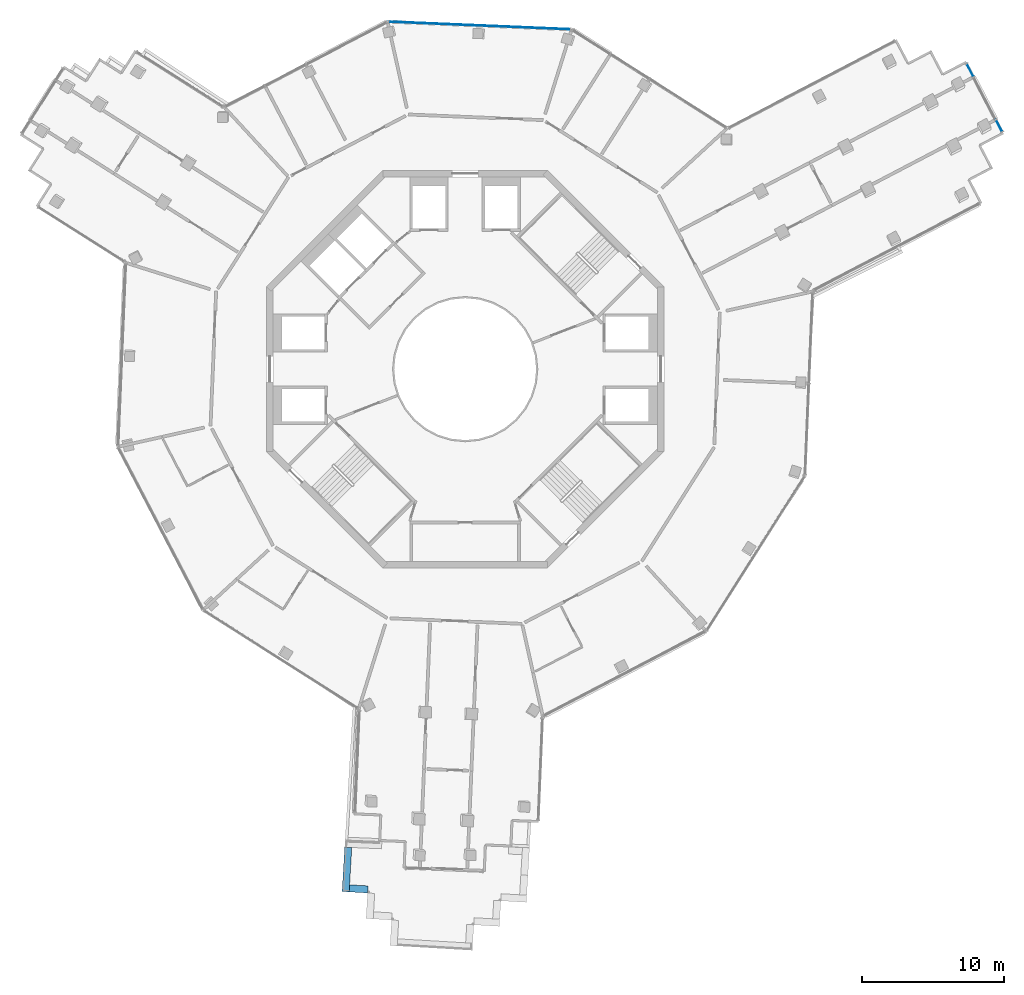
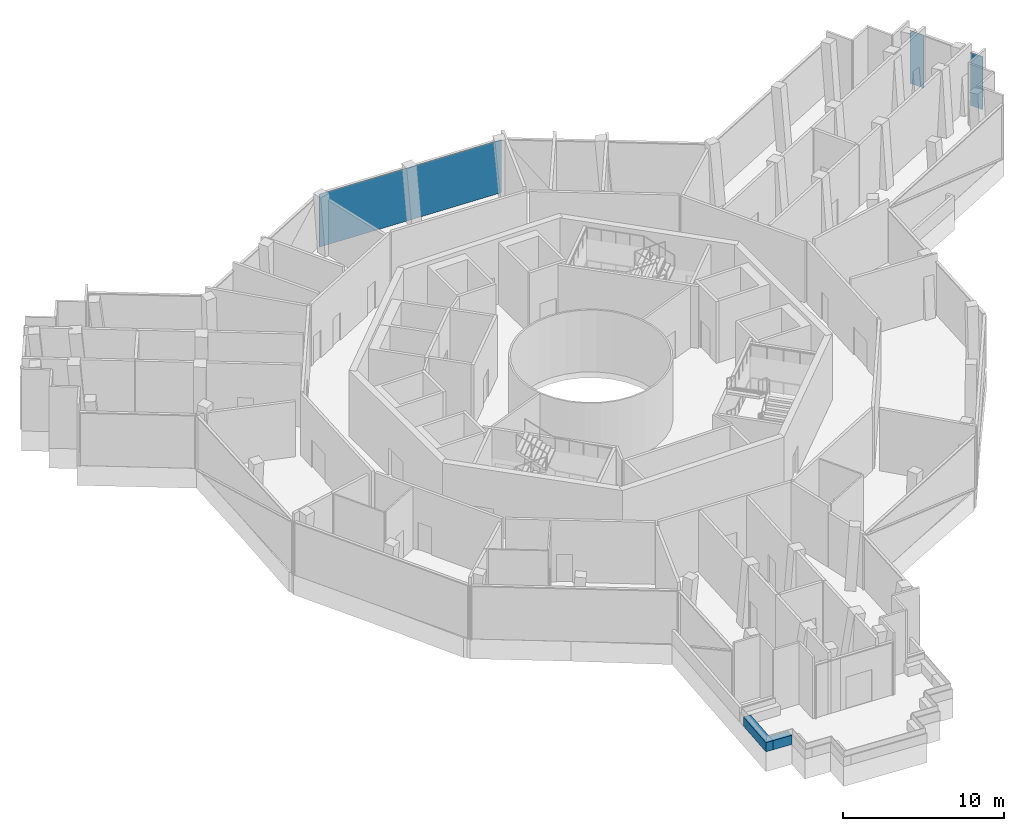
# One storey, part 10 of 21: 3 plates, 2 walls, 2 elements without a shape of their own.
"""IFC4 building model written with IfcOpenShell, lengths in metres."""

from ifc_helpers import new_model, si_unit, direction, frame, frame_2d, origin, origin_2d, place, context, subcontext, project, spatial, rectangle, extrude, material, layer, layer_set, type_object, element, aggregate, save


model = new_model("IFC4")

# Units and contexts
model_context = context("Model", 3, precision=1e-05, world=origin(), true_north=direction((0.0, 1.0)))
body_context = subcontext(model_context, "Body", "Model", "MODEL_VIEW")
ifc_project = project(units=[si_unit("LENGTHUNIT", "METRE"), si_unit("AREAUNIT", "SQUARE_METRE"), si_unit("VOLUMEUNIT", "CUBIC_METRE"), si_unit("PLANEANGLEUNIT", "RADIAN"), si_unit("MASSUNIT", "GRAM", prefix="KILO")], contexts=[model_context])

# Site, building, storey
site_placement = place(None, origin())
site = spatial("IfcSite", under=ifc_project, at=site_placement, CompositionType="ELEMENT")
building_placement = place(site_placement, origin())
building = spatial("IfcBuilding", under=site, at=building_placement, Name="Verdalira Terraces Hotel", CompositionType="ELEMENT")
storey_placement = place(building_placement, frame((0.0, 0.0, 269.0)))
storey = spatial("IfcBuildingStorey", under=building, at=storey_placement, Name="L66", CompositionType="ELEMENT", Elevation=269.0)

# Curtain wall, plates
ifc_material_1 = material(Name="Clear glass", Category="glass")
ifc_layer_1 = layer(ifc_material_1, 0.239990234375)
ifc_layer_set_1 = layer_set([ifc_layer_1], Name="CW5 curtain wall")
curtain_wall_type = type_object("IfcCurtainWallType", Name="CW5 curtain wall", PredefinedType="NOTDEFINED", material=ifc_layer_set_1)
curtain_wall_1_placement = place(storey_placement, origin())
curtain_wall_1 = element("IfcCurtainWall", 1, at=curtain_wall_1_placement, inside=storey, type_object=curtain_wall_type, Name="CW5 curtain wall L66 edge 33", PredefinedType="NOTDEFINED")
ifc_material_2 = material(Name="Clear glass", Category="glass")
ifc_layer_2 = layer(ifc_material_2, 0.0439453125)
ifc_layer_set_2 = layer_set([ifc_layer_2], Name="CW5 glass unit 44")
plate_type = type_object("IfcPlateType", Name="CW5 glass unit 44", PredefinedType="CURTAIN_PANEL", material=ifc_layer_set_2)
plate_1_placement = place(storey_placement, frame((37.611816, 17.145996, 0.0), z_axis=(0.0, 0.0, 1.0), x_axis=(-0.463296035, 0.886203579, 0.0)))
plate_1 = element("IfcPlate", 2, at=plate_1_placement, type_object=plate_type, Name="CW5 glass unit", PredefinedType="CURTAIN_PANEL", context=body_context, shape_type="SweptSolid", body=[
    extrude(rectangle(XDim=0.898682, YDim=0.043945, at=origin_2d()), origin(), (0.0, 0.0, 1.0), 4.014893),
])
plate_2_placement = place(storey_placement, frame((35.568359, 21.054688, 0.0), z_axis=(0.0, 0.0, 1.0), x_axis=(-0.463296035, 0.886203579, 0.0)))
plate_2 = element("IfcPlate", 3, at=plate_2_placement, type_object=plate_type, Name="CW5 glass unit", PredefinedType="CURTAIN_PANEL", context=body_context, shape_type="SweptSolid", body=[
    extrude(rectangle(XDim=1.0, YDim=0.043945, at=origin_2d()), origin(), (0.0, 0.0, 1.0), 4.014893),
])
aggregate(curtain_wall_1, [plate_1, plate_2])

# Curtain wall, plate
curtain_wall_2_placement = place(storey_placement, origin())
curtain_wall_2 = element("IfcCurtainWall", 4, at=curtain_wall_2_placement, inside=storey, type_object=curtain_wall_type, Name="CW5 curtain wall L66 edge 40", PredefinedType="NOTDEFINED")
plate_3_placement = place(storey_placement, frame((1.014648, 24.207031, 0.0), z_axis=(0.0, 0.0, 1.0), x_axis=(-0.99912283, 0.041875654, 0.0)))
plate_3 = element("IfcPlate", 5, at=plate_3_placement, type_object=plate_type, Name="CW5 glass unit", PredefinedType="CURTAIN_PANEL", context=body_context, shape_type="SweptSolid", body=[
    extrude(rectangle(XDim=12.779541, YDim=0.043945, at=origin_2d()), origin(), (0.0, 0.0, 1.0), 4.014893),
])
aggregate(curtain_wall_2, [plate_3])

# Walls
ifc_material_3 = material(Name="Concrete C40", Category="concrete")
ifc_layer_3 = layer(ifc_material_3, 0.5)
ifc_layer_set_3 = layer_set([ifc_layer_3], Name="Balcony planter trough with tree")
wall_type = type_object("IfcWallType", Name="Balcony planter trough with tree", PredefinedType="SOLIDWALL", material=ifc_layer_set_3)
wall_1_placement = place(storey_placement, frame((-8.239014, -33.694092, 0.0), z_axis=(0.0, 0.0, 1.0), x_axis=(-0.058607501, -0.998281103, 0.0)))
element("IfcWall", 6, at=wall_1_placement, inside=storey, type_object=wall_type, Name="Balcony planter", PredefinedType="SOLIDWALL", context=body_context, shape_type="SweptSolid", body=[
    extrude(rectangle(XDim=3.124268, YDim=0.5, at=frame_2d((1.562012, 0.0))), origin(), (0.0, 0.0, 1.0), 0.699951),
])
wall_2_placement = place(storey_placement, frame((-8.157959, -36.577881, 0.0), z_axis=(0.0, 0.0, 1.0), x_axis=(0.998282135, -0.058589922, 0.0)))
element("IfcWall", 7, at=wall_2_placement, inside=storey, type_object=wall_type, Name="Balcony planter", PredefinedType="SOLIDWALL", context=body_context, shape_type="SweptSolid", body=[
    extrude(rectangle(XDim=1.300049, YDim=0.5, at=frame_2d((0.649902, 0.0))), origin(), (0.0, 0.0, 1.0), 0.699951),
])

save(model, "model.ifc")
